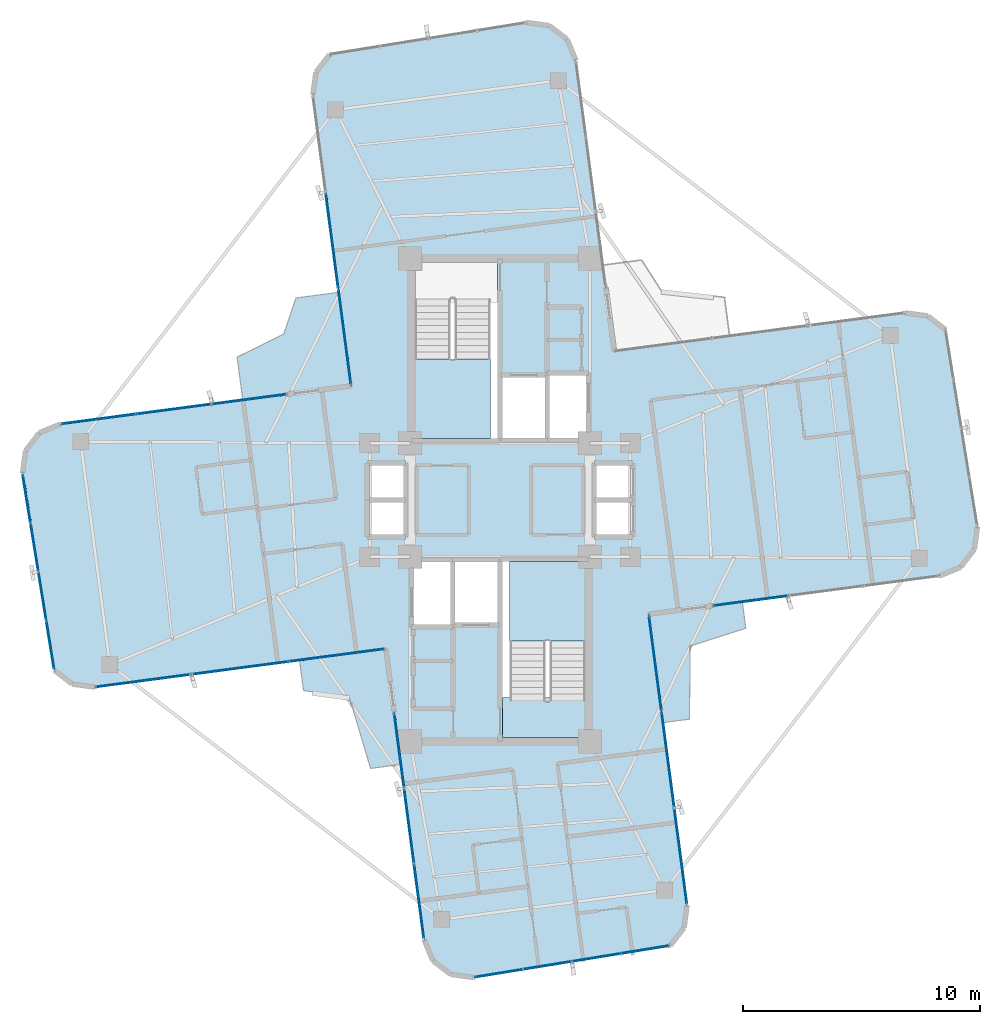
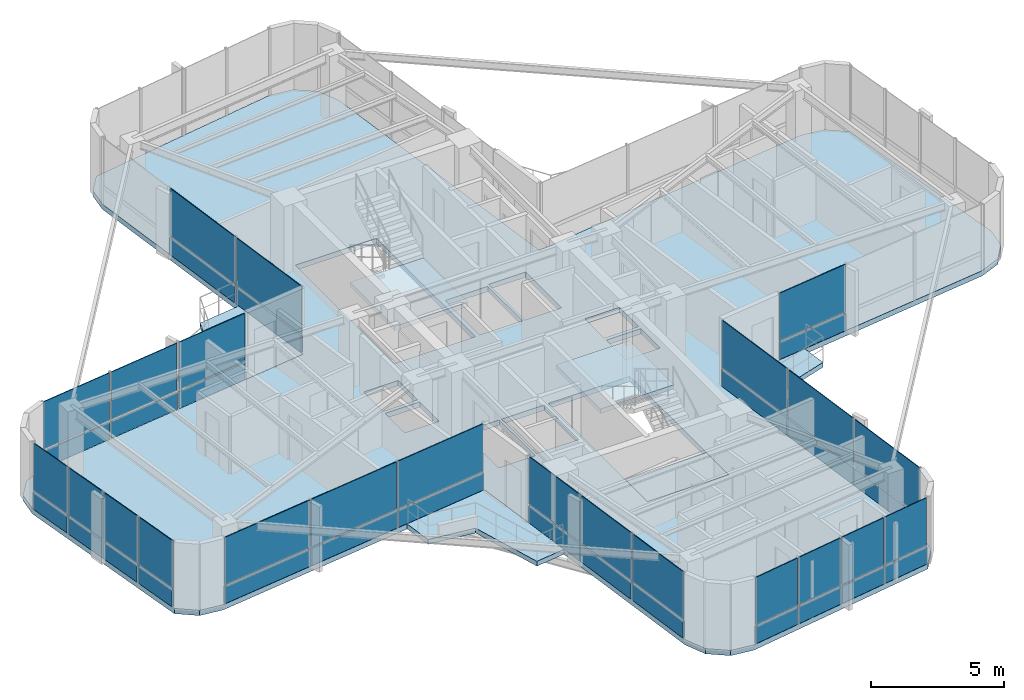
# One storey, part 17 of 22: 46 plates, 7 slabs, 10 elements without a shape of their own.
"""IFC4 building model written with IfcOpenShell, lengths in metres."""

import ifcopenshell
import ifcopenshell.guid

model = None  # the IFC model being written
_history = None  # IfcOwnerHistory: only IFC2X3 demands one
_inside = {}  # id of a spatial element -> (the spatial element, [elements in it])
_under = {}  # id of a project, library or spatial element -> (it, [spatial elements below it])
_declared = {}  # id of a project -> (the project, [libraries it declares])
_typed = {}  # id of a type object -> (the type object, [elements of that type])
_made_of = {}  # id of a material, layer set ... -> (it, [elements and type objects made of it])


def new_model(schema):
    """Start an empty IFC model of exactly this schema.

    Asked for "IFC4X3", IfcOpenShell would pick the latest addendum, in which some entities
    have other attributes; the version numbers below select the first issue.
    IFC2X3 requires an IfcOwnerHistory on every rooted entity: one is made here for all.
    """
    global model, _history
    if schema == "IFC4X3":
        model = ifcopenshell.file(schema_version=(4, 3, 0, 0))
    else:
        model = ifcopenshell.file(schema=schema)
    _inside.clear()
    _under.clear()
    _declared.clear()
    _typed.clear()
    _made_of.clear()
    _history = None
    if model.schema == "IFC2X3":
        org = make("IfcOrganization", Name="unknown")
        user = make(
            "IfcPersonAndOrganization",
            ThePerson=make("IfcPerson", FamilyName="unknown"),
            TheOrganization=org,
        )
        app = make(
            "IfcApplication",
            ApplicationDeveloper=org,
            Version="unknown",
            ApplicationFullName="unknown",
            ApplicationIdentifier="unknown",
        )
        _history = make(
            "IfcOwnerHistory",
            OwningUser=user,
            OwningApplication=app,
            ChangeAction="ADDED",
            CreationDate=0,
        )
    return model


def make(cls, **values):
    """One entity of the class cls with the attributes given. An attribute that is None is left unset."""
    return model.create_entity(
        cls, **{name: value for name, value in values.items() if value is not None}
    )


def rooted(cls, **values):
    """An entity with a GlobalId (a new one), such as an element, a storey or a relation."""
    return make(cls, GlobalId=ifcopenshell.guid.new(), OwnerHistory=_history, **values)


def si_unit(unit_type, name, prefix=None):
    """IfcSIUnit, for example si_unit("LENGTHUNIT", "METRE", prefix="MILLI")."""
    return make("IfcSIUnit", UnitType=unit_type, Prefix=prefix, Name=name)


def assignment(units):
    """IfcUnitAssignment: the units of a project."""
    return None if units is None else make("IfcUnitAssignment", Units=units)


def point(xyz):
    """IfcCartesianPoint."""
    return None if xyz is None else make("IfcCartesianPoint", Coordinates=xyz)


def direction(xyz):
    """IfcDirection."""
    return None if xyz is None else make("IfcDirection", DirectionRatios=xyz)


def frame(location, z_axis=None, x_axis=None):
    """IfcAxis2Placement3D, a coordinate frame: its origin and axes. An axis left out is left unset."""
    return make(
        "IfcAxis2Placement3D",
        Location=point(location),
        Axis=direction(z_axis),
        RefDirection=direction(x_axis),
    )


def frame_2d(location, x_axis=None):
    """IfcAxis2Placement2D, a coordinate frame in the plane: its origin and x axis."""
    return make(
        "IfcAxis2Placement2D", Location=point(location), RefDirection=direction(x_axis)
    )


def origin():
    """The frame at (0, 0, 0) with its axes left unset."""
    return frame((0.0, 0.0, 0.0))


def origin_2d():
    """The frame at (0, 0) in the plane with its x axis left unset."""
    return frame_2d((0.0, 0.0))


def place(relative_to, where):
    """IfcLocalPlacement: puts the frame where relative to a parent placement (None: the world)."""
    return make(
        "IfcLocalPlacement", PlacementRelTo=relative_to, RelativePlacement=where
    )


def context(
    kind, dimensions, precision=None, world=None, true_north=None, identifier=None
):
    """IfcGeometricRepresentationContext, for example the 3D "Model" context."""
    return make(
        "IfcGeometricRepresentationContext",
        ContextIdentifier=identifier,
        ContextType=kind,
        CoordinateSpaceDimension=dimensions,
        Precision=precision,
        WorldCoordinateSystem=world,
        TrueNorth=true_north,
    )


def subcontext(parent, identifier, kind, view, scale=None):
    """IfcGeometricRepresentationSubContext, for example "Body" below "Model"."""
    return make(
        "IfcGeometricRepresentationSubContext",
        ContextIdentifier=identifier,
        ContextType=kind,
        ParentContext=parent,
        TargetScale=scale,
        TargetView=view,
    )


def project(units=None, contexts=None):
    """IfcProject with its units and contexts."""
    return rooted(
        "IfcProject",
        Name="project",
        RepresentationContexts=contexts,
        UnitsInContext=assignment(units),
    )


def spatial(cls, under=None, at=None, **own):
    """A site, building, storey or space (cls), placed at a placement, below another one or the project."""
    s = rooted(cls, ObjectPlacement=at, **own)
    if under is not None:
        _under.setdefault(under.id(), (under, []))[1].append(s)
    return s


def polyline(points):
    """IfcPolyline through the points."""
    return make("IfcPolyline", Points=[point(p) for p in points])


def profile(cls, at=None, kind="AREA", **sizes):
    """A parametric profile (cls). Its sizes go by their IFC names, for example OverallWidth=200.0."""
    return make(cls, ProfileType=kind, Position=at, **sizes)


def rectangle(**sizes):
    """IfcRectangleProfileDef."""
    return profile("IfcRectangleProfileDef", **sizes)


def outline(outer, holes=None, kind="AREA"):
    """IfcArbitraryClosedProfileDef: a profile drawn as a closed curve; with holes, ...WithVoids."""
    if holes is None:
        return make("IfcArbitraryClosedProfileDef", ProfileType=kind, OuterCurve=outer)
    return make(
        "IfcArbitraryProfileDefWithVoids",
        ProfileType=kind,
        OuterCurve=outer,
        InnerCurves=holes,
    )


def extrude(swept, where, along, depth):
    """IfcExtrudedAreaSolid: the profile swept, set in the frame where, extruded along a direction by depth."""
    return make(
        "IfcExtrudedAreaSolid",
        SweptArea=swept,
        Position=where,
        ExtrudedDirection=direction(along),
        Depth=depth,
    )


def shape(context_of_items, identifier, shape_type, items):
    """IfcShapeRepresentation: the items that make up one representation, for example the "Body"."""
    return make(
        "IfcShapeRepresentation",
        ContextOfItems=context_of_items,
        RepresentationIdentifier=identifier,
        RepresentationType=shape_type,
        Items=items,
    )


def source(mapping_origin, context_of_items, identifier, shape_type, items):
    """IfcRepresentationMap: a shape defined once, which mapped items show again and again."""
    return make(
        "IfcRepresentationMap",
        MappingOrigin=mapping_origin,
        MappedRepresentation=shape(context_of_items, identifier, shape_type, items),
    )


def transform(
    local_origin,
    x_axis=None,
    y_axis=None,
    z_axis=None,
    scale=None,
    scale2=None,
    scale3=None,
    uniform=True,
):
    """IfcCartesianTransformationOperator3D, or its non-uniform kind. x_axis, y_axis, z_axis: its Axis1, 2, 3."""
    if uniform:
        return make(
            "IfcCartesianTransformationOperator3D",
            Axis1=direction(x_axis),
            Axis2=direction(y_axis),
            LocalOrigin=point(local_origin),
            Scale=scale,
            Axis3=direction(z_axis),
        )
    return make(
        "IfcCartesianTransformationOperator3DnonUniform",
        Axis1=direction(x_axis),
        Axis2=direction(y_axis),
        LocalOrigin=point(local_origin),
        Scale=scale,
        Axis3=direction(z_axis),
        Scale2=scale2,
        Scale3=scale3,
    )


def mapped(mapping_source, mapping_target):
    """IfcMappedItem: shows the shape of a source again, moved by a transform."""
    return make(
        "IfcMappedItem", MappingSource=mapping_source, MappingTarget=mapping_target
    )


def material(Name=None, Category=None):
    """IfcMaterial."""
    return make("IfcMaterial", Name=Name, Category=Category)


def layer(
    of_material, thickness, ventilated=None, Name=None, Category=None, Priority=None
):
    """IfcMaterialLayer: one layer of a wall or slab, of a material (None: an air gap)."""
    return make(
        "IfcMaterialLayer",
        Material=of_material,
        LayerThickness=thickness,
        IsVentilated=ventilated,
        Name=Name,
        Category=Category,
        Priority=Priority,
    )


def layer_set(layers, Name=None):
    """IfcMaterialLayerSet."""
    return make("IfcMaterialLayerSet", MaterialLayers=layers, LayerSetName=Name)


def made_of(thing, what):
    """Note that an element or type object is made of a material, layer set ...; save() writes the relation."""
    if what is not None:
        _made_of.setdefault(what.id(), (what, []))[1].append(thing)
    return thing


def type_object(cls, material=None, **own):
    """A type object (cls), such as IfcWallType, which elements share."""
    return made_of(rooted(cls, **own), material)


def element(
    cls,
    number,
    at=None,
    inside=None,
    cuts=None,
    type_object=None,
    material=None,
    context=None,
    identifier="Body",
    shape_type=None,
    held_by="IfcProductDefinitionShape",
    body=None,
    shapes=None,
    **own,
):
    """One element of the class cls, such as IfcWall. Its Tag is "e" and its number.

    at: its placement. inside: the storey or other place that contains it. cuts: it is an
    opening in that element (IfcRelVoidsElement). A single representation is given by context,
    identifier, shape_type and body (its items); several are given by shapes. held_by: the class
    of the entity that holds the representations. save() writes the other relations.
    """
    e = rooted(cls, Tag="e%d" % number, ObjectPlacement=at, **own)
    if body is not None:
        shapes = [shape(context, identifier, shape_type, body)]
    if shapes is not None:
        e.Representation = make(held_by, Representations=shapes)
    if inside is not None:
        _inside.setdefault(inside.id(), (inside, []))[1].append(e)
    if cuts is not None:
        rooted(
            "IfcRelVoidsElement", RelatingBuildingElement=cuts, RelatedOpeningElement=e
        )
    if type_object is not None:
        _typed.setdefault(type_object.id(), (type_object, []))[1].append(e)
    return made_of(e, material)


def aggregate(whole, parts):
    """IfcRelAggregates: a whole, such as a stair, and the parts it consists of."""
    return rooted("IfcRelAggregates", RelatingObject=whole, RelatedObjects=parts)


def save(model, path):
    """Write the relations noted so far, then the file.

    IfcRelAggregates (storeys below a building ...), IfcRelContainedInSpatialStructure (elements
    in a storey), IfcRelDefinesByType, IfcRelAssociatesMaterial and IfcRelDeclares: one each for
    every whole, place, type object, material and project.
    """
    for whole, parts in _under.values():
        aggregate(whole, parts)
    for where, things in _inside.values():
        rooted(
            "IfcRelContainedInSpatialStructure",
            RelatedElements=things,
            RelatingStructure=where,
        )
    for kind, things in _typed.values():
        rooted("IfcRelDefinesByType", RelatedObjects=things, RelatingType=kind)
    for what, things in _made_of.values():
        rooted("IfcRelAssociatesMaterial", RelatedObjects=things, RelatingMaterial=what)
    for by, libraries in _declared.values():
        rooted("IfcRelDeclares", RelatingContext=by, RelatedDefinitions=libraries)
    model.write(path)


model = new_model("IFC4")

# Units and contexts
model_context = context("Model", 3, precision=1e-05, world=origin(), true_north=direction((0.0, 1.0)))
body_context = subcontext(model_context, "Body", "Model", "MODEL_VIEW")
ifc_project = project(units=[si_unit("LENGTHUNIT", "METRE"), si_unit("AREAUNIT", "SQUARE_METRE"), si_unit("VOLUMEUNIT", "CUBIC_METRE"), si_unit("PLANEANGLEUNIT", "RADIAN"), si_unit("MASSUNIT", "GRAM", prefix="KILO")], contexts=[model_context])

# Site, building, storey
site_placement = place(None, origin())
site = spatial("IfcSite", under=ifc_project, at=site_placement, CompositionType="ELEMENT")
building_placement = place(site_placement, origin())
building = spatial("IfcBuilding", under=site, at=building_placement, Name="Sahyath Konkavel Grand Hotel", CompositionType="ELEMENT")
storey_placement = place(building_placement, frame((0.0, 0.0, 269.10009765625)))
storey = spatial("IfcBuildingStorey", under=building, at=storey_placement, Name="L75", CompositionType="ELEMENT", Elevation=269.10009765625)

# Slabs
ifc_material_1 = material(Name="Concrete C40/50", Category="concrete")
ifc_layer_1 = layer(ifc_material_1, 0.239990234375)
ifc_layer_set_1 = layer_set([ifc_layer_1], Name="Concrete C40/50")
slab_type_1 = type_object("IfcSlabType", Name="SLB-240", PredefinedType="FLOOR", material=ifc_layer_set_1)
slab_1_placement = place(storey_placement, frame((0.0, 0.0, -0.239990234375)))
element("IfcSlab", 1, at=slab_1_placement, inside=storey, type_object=slab_type_1, Name="L75 Structural Floor Slab", PredefinedType="FLOOR", context=body_context, shape_type="SweptSolid", body=[
    extrude(outline(polyline([(6.282958984375, -4.821044921875), (18.56689453125, -3.203857421875), (19.451904296875, -2.83740234375), (20.03466796875, -2.07763671875), (20.15966796875, -1.12841796875), (18.814208984375, 7.1923828125), (18.0546875, 7.775390625), (17.10498046875, 7.900390625), (4.821044921875, 6.282958984375), (3.203857421875, 18.56689453125), (2.83740234375, 19.451904296875), (2.07763671875, 20.03466796875), (1.12841796875, 20.15966796875), (-7.1923828125, 18.814208984375), (-7.775390625, 18.0546875), (-7.900390625, 17.10498046875), (-6.282958984375, 4.821044921875), (-18.56689453125, 3.203857421875), (-19.451904296875, 2.83740234375), (-20.03466796875, 2.07763671875), (-20.15966796875, 1.12841796875), (-18.814208984375, -7.1923828125), (-18.0546875, -7.775390625), (-17.10498046875, -7.900390625), (-4.821044921875, -6.282958984375), (-3.203857421875, -18.56689453125), (-2.83740234375, -19.451904296875), (-2.07763671875, -20.03466796875), (-1.12841796875, -20.15966796875), (7.1923828125, -18.814208984375), (7.775390625, -18.0546875), (7.900390625, -17.10498046875), (6.282958984375, -4.821044921875)]), holes=[polyline([(-3.6201171875, 2.580078125), (-0.10009765625, 2.580078125), (-0.10009765625, 10.02001953125), (-3.6201171875, 10.02001953125), (-3.6201171875, 2.580078125)]), polyline([(0.10009765625, -10.02001953125), (3.6201171875, -10.02001953125), (3.6201171875, -2.580078125), (0.10009765625, -2.580078125), (0.10009765625, -10.02001953125)]), polyline([(0.10009765625, 2.60009765625), (1.949951171875, 2.60009765625), (1.949951171875, 5.199951171875), (0.10009765625, 5.199951171875), (0.10009765625, 2.60009765625)]), polyline([(-1.949951171875, -5.199951171875), (-0.10009765625, -5.199951171875), (-0.10009765625, -2.60009765625), (-1.949951171875, -2.60009765625), (-1.949951171875, -5.199951171875)]), polyline([(2.050048828125, 2.60009765625), (3.64990234375, 2.60009765625), (3.64990234375, 5.300048828125), (2.050048828125, 5.300048828125), (2.050048828125, 2.60009765625)]), polyline([(-3.64990234375, -5.300048828125), (-2.050048828125, -5.300048828125), (-2.050048828125, -2.60009765625), (-3.64990234375, -2.60009765625), (-3.64990234375, -5.300048828125)]), polyline([(4.050048828125, 0.080078125), (5.550048828125, 0.080078125), (5.550048828125, 1.5400390625), (4.050048828125, 1.5400390625), (4.050048828125, 0.080078125)]), polyline([(4.050048828125, -1.5400390625), (5.550048828125, -1.5400390625), (5.550048828125, -0.080078125), (4.050048828125, -0.080078125), (4.050048828125, -1.5400390625)]), polyline([(-5.550048828125, 0.080078125), (-4.050048828125, 0.080078125), (-4.050048828125, 1.5400390625), (-5.550048828125, 1.5400390625), (-5.550048828125, 0.080078125)]), polyline([(-5.550048828125, -1.5400390625), (-4.050048828125, -1.5400390625), (-4.050048828125, -0.080078125), (-5.550048828125, -0.080078125), (-5.550048828125, -1.5400390625)])]), origin(), (0.0, 0.0, 1.0), 0.239990234375),
])
ifc_layer_2 = layer(ifc_material_1, 0.219970703125)
ifc_layer_set_2 = layer_set([ifc_layer_2], Name="Concrete C40/50")
slab_type_2 = type_object("IfcSlabType", Name="SLB-BALCONY-220", PredefinedType="FLOOR", material=ifc_layer_set_2)
slab_2_placement = place(storey_placement, frame((0.0, 0.0, -0.22021484375)))
element("IfcSlab", 2, at=slab_2_placement, inside=storey, type_object=slab_type_2, Name="L75 Winter-Garden Balcony NW", PredefinedType="FLOOR", context=body_context, shape_type="SweptSolid", body=[
    extrude(outline(polyline([(-6.282958984375, 4.821044921875), (-6.802734375, 8.76904296875), (-8.615966796875, 8.530517578125), (-9.1328125, 7.0078125), (-11.10009765625, 6.031494140625), (-10.861572265625, 4.218505859375), (-6.282958984375, 4.821044921875)])), origin(), (0.0, 0.0, 1.0), 0.22021484375),
])
slab_3_placement = place(storey_placement, frame((0.0, 0.0, -0.22021484375)))
element("IfcSlab", 3, at=slab_3_placement, inside=storey, type_object=slab_type_2, Name="L75 Winter-Garden Balcony SW", PredefinedType="FLOOR", context=body_context, shape_type="SweptSolid", body=[
    extrude(outline(polyline([(-4.821044921875, -6.282958984375), (-8.4658203125, -6.762939453125), (-8.29638671875, -8.0478515625), (-6.370849609375, -8.302490234375), (-5.46337890625, -11.333984375), (-4.178466796875, -11.164794921875), (-4.821044921875, -6.282958984375)])), origin(), (0.0, 0.0, 1.0), 0.22021484375),
])
slab_4_placement = place(storey_placement, frame((0.0, 0.0, -0.22021484375)))
element("IfcSlab", 4, at=slab_4_placement, inside=storey, type_object=slab_type_2, Name="L75 Winter-Garden Balcony SE", PredefinedType="FLOOR", context=body_context, shape_type="SweptSolid", body=[
    extrude(outline(polyline([(6.282958984375, -4.821044921875), (6.8857421875, -9.399658203125), (7.99951171875, -9.2529296875), (8.033203125, -6.164306640625), (10.377685546875, -5.4150390625), (10.23095703125, -4.301513671875), (6.282958984375, -4.821044921875)])), origin(), (0.0, 0.0, 1.0), 0.22021484375),
])

# Stair, slab
stair_type = type_object("IfcStairType", Name="STR-ST16-335", PredefinedType="HALF_TURN_STAIR", material=ifc_material_1)
stair_1_placement = place(storey_placement, origin())
stair_1 = element("IfcStair", 5, at=stair_1_placement, inside=storey, type_object=stair_type, Name="L75 North Core Smokeproof Exit Stair ST-1", PredefinedType="HALF_TURN_STAIR")
ifc_layer_3 = layer(ifc_material_1, 0.199951171875)
ifc_layer_set_3 = layer_set([ifc_layer_3], Name="Concrete C40/50")
slab_type_3 = type_object("IfcSlabType", Name="SLB-STAIR-LND", PredefinedType="LANDING", material=ifc_layer_set_3)
slab_5_placement = place(storey_placement, frame((0.0, 0.0, 1.474853515625)))
slab_5 = element("IfcSlab", 6, at=slab_5_placement, type_object=slab_type_3, Name="ST-1 landing 1", PredefinedType="LANDING", context=body_context, shape_type="SweptSolid", body=[
    extrude(outline(polyline([(-3.60009765625, 5.9599609375), (-3.60009765625, 2.60009765625), (-0.39990234375, 2.60009765625), (-0.39990234375, 5.9599609375), (-3.60009765625, 5.9599609375)])), origin(), (0.0, 0.0, 1.0), 0.199951171875),
])
aggregate(stair_1, [slab_5])

stair_2_placement = place(storey_placement, origin())
stair_2 = element("IfcStair", 7, at=stair_2_placement, inside=storey, type_object=stair_type, Name="L75 South Core Smokeproof Exit Stair ST-2", PredefinedType="HALF_TURN_STAIR")
slab_6_placement = place(storey_placement, frame((0.0, 0.0, 1.474853515625)))
slab_6 = element("IfcSlab", 8, at=slab_6_placement, type_object=slab_type_3, Name="ST-2 landing 1", PredefinedType="LANDING", context=body_context, shape_type="SweptSolid", body=[
    extrude(outline(polyline([(3.60009765625, -5.9599609375), (3.60009765625, -2.60009765625), (0.39990234375, -2.60009765625), (0.39990234375, -5.9599609375), (3.60009765625, -5.9599609375)])), origin(), (0.0, 0.0, 1.0), 0.199951171875),
])
aggregate(stair_2, [slab_6])

# Slab
slab_7_placement = place(storey_placement, frame((0.0, 0.0, -0.2001953125)))
element("IfcSlab", 9, at=slab_7_placement, inside=storey, type_object=slab_type_3, Name="L75 Stair ST-2 Floor Landing Slab", PredefinedType="LANDING", context=body_context, shape_type="SweptSolid", body=[
    extrude(outline(polyline([(0.10009765625, -10.02001953125), (3.6201171875, -10.02001953125), (3.6201171875, -8.35009765625), (0.10009765625, -8.35009765625), (0.10009765625, -10.02001953125)])), origin(), (0.0, 0.0, 1.0), 0.2001953125),
])

# Curtain wall, plate
ifc_material_2 = material(Name="Anodised Bronze Aluminium & Low-E Glazing", Category="aluminium")
curtain_wall_type = type_object("IfcCurtainWallType", Name="CW-ZONE4", PredefinedType="NOTDEFINED", material=ifc_material_2)
curtain_wall_1_placement = place(storey_placement, origin())
curtain_wall_1 = element("IfcCurtainWall", 10, at=curtain_wall_1_placement, inside=storey, type_object=curtain_wall_type, Name="L75 Unitised Curtain Wall F0", PredefinedType="NOTDEFINED")
ifc_material_3 = material(Name="Warm Buff Sandstone Cladding", Category="masonry")
ifc_layer_4 = layer(ifc_material_3, 0.074951171875)
ifc_layer_set_4 = layer_set([ifc_layer_4], Name="Warm Buff Sandstone Cladding")
plate_type_1 = type_object("IfcPlateType", Name="PNL-SPANDREL-STONE", PredefinedType="SHEET", material=ifc_layer_set_4)
shared_shape_1 = source(origin(), body_context, "Body", "SweptSolid", [
    extrude(rectangle(XDim=3.123291015625, YDim=0.074951171875, at=origin_2d()), origin(), (0.0, 0.0, 1.0), 0.77001953125),
])
plate_1_placement = place(storey_placement, frame((10.587646484375, -4.25439453125, 0.039794921875), z_axis=(0.0, 0.0, 1.0), x_axis=(0.991444861374, 0.13052619222, 0.0)))
plate_1 = element("IfcPlate", 11, at=plate_1_placement, type_object=plate_type_1, Name="L75 Sandstone Relief Spandrel Panel F0-0", PredefinedType="SHEET", context=body_context, shape_type="MappedRepresentation", body=[
    mapped(shared_shape_1, transform((0.0, 0.0, 0.0), scale=1.0)),
])

# Curtain wall, plates
curtain_wall_2_placement = place(storey_placement, origin())
curtain_wall_2 = element("IfcCurtainWall", 12, at=curtain_wall_2_placement, inside=storey, type_object=curtain_wall_type, Name="L75 Unitised Curtain Wall F16", PredefinedType="NOTDEFINED")
plate_2_placement = place(storey_placement, frame((-10.587646484375, 4.25439453125, 0.039794921875), z_axis=(0.0, 0.0, 1.0), x_axis=(-0.991444861374, -0.13052619222, 0.0)))
plate_2 = element("IfcPlate", 13, at=plate_2_placement, type_object=plate_type_1, Name="L75 Sandstone Relief Spandrel Panel F16-0", PredefinedType="SHEET", context=body_context, shape_type="MappedRepresentation", body=[
    mapped(shared_shape_1, transform((0.0, 0.0, 0.0), scale=1.0)),
])
plate_3_placement = place(storey_placement, frame((-13.763427734375, 3.836181640625, 0.039794921875), z_axis=(0.0, 0.0, 1.0), x_axis=(-0.991444861374, -0.13052619222, 0.0)))
plate_3 = element("IfcPlate", 14, at=plate_3_placement, type_object=plate_type_1, Name="L75 Sandstone Relief Spandrel Panel F16-1", PredefinedType="SHEET", context=body_context, shape_type="MappedRepresentation", body=[
    mapped(shared_shape_1, transform((0.0, 0.0, 0.0), scale=1.0)),
])
plate_4_placement = place(storey_placement, frame((-16.939453125, 3.418212890625, 0.039794921875), z_axis=(0.0, 0.0, 1.0), x_axis=(-0.991444861374, -0.13052619222, 0.0)))
plate_4 = element("IfcPlate", 15, at=plate_4_placement, type_object=plate_type_1, Name="L75 Sandstone Relief Spandrel Panel F16-2", PredefinedType="SHEET", context=body_context, shape_type="MappedRepresentation", body=[
    mapped(shared_shape_1, transform((0.0, 0.0, 0.0), scale=1.0)),
])

curtain_wall_3_placement = place(storey_placement, origin())
curtain_wall_3 = element("IfcCurtainWall", 16, at=curtain_wall_3_placement, inside=storey, type_object=curtain_wall_type, Name="L75 Unitised Curtain Wall F24", PredefinedType="NOTDEFINED")
plate_5_placement = place(storey_placement, frame((-4.25439453125, -10.587646484375, 0.039794921875), z_axis=(0.0, 0.0, 1.0), x_axis=(0.13052619222, -0.991444861374, 0.0)))
plate_5 = element("IfcPlate", 17, at=plate_5_placement, type_object=plate_type_1, Name="L75 Sandstone Relief Spandrel Panel F24-0", PredefinedType="SHEET", context=body_context, shape_type="MappedRepresentation", body=[
    mapped(shared_shape_1, transform((0.0, 0.0, 0.0), scale=1.0)),
])
plate_6_placement = place(storey_placement, frame((-3.836181640625, -13.763427734375, 0.039794921875), z_axis=(0.0, 0.0, 1.0), x_axis=(0.13052619222, -0.991444861374, 0.0)))
plate_6 = element("IfcPlate", 18, at=plate_6_placement, type_object=plate_type_1, Name="L75 Sandstone Relief Spandrel Panel F24-1", PredefinedType="SHEET", context=body_context, shape_type="MappedRepresentation", body=[
    mapped(shared_shape_1, transform((0.0, 0.0, 0.0), scale=1.0)),
])
plate_7_placement = place(storey_placement, frame((-3.418212890625, -16.939453125, 0.039794921875), z_axis=(0.0, 0.0, 1.0), x_axis=(0.13052619222, -0.991444861374, 0.0)))
plate_7 = element("IfcPlate", 19, at=plate_7_placement, type_object=plate_type_1, Name="L75 Sandstone Relief Spandrel Panel F24-2", PredefinedType="SHEET", context=body_context, shape_type="MappedRepresentation", body=[
    mapped(shared_shape_1, transform((0.0, 0.0, 0.0), scale=1.0)),
])

# Plate
ifc_material_4 = material(Name="Low-E Solar Control Double Glazing", Category="glass")
ifc_layer_5 = layer(ifc_material_4, 0.035888671875)
ifc_layer_set_5 = layer_set([ifc_layer_5], Name="Low-E Solar Control Double Glazing")
plate_type_2 = type_object("IfcPlateType", Name="PNL-VISION-LOWE", PredefinedType="CURTAIN_PANEL", material=ifc_layer_set_5)
shared_shape_2 = source(origin(), body_context, "Body", "SweptSolid", [
    extrude(rectangle(XDim=3.123291015625, YDim=0.035888671875, at=origin_2d()), origin(), (0.0, 0.0, 1.0), 2.179931640625),
])
plate_8_placement = place(storey_placement, frame((10.587646484375, -4.25439453125, 0.89013671875), z_axis=(0.0, 0.0, 1.0), x_axis=(0.991444861374, 0.13052619222, 0.0)))
plate_8 = element("IfcPlate", 20, at=plate_8_placement, type_object=plate_type_2, Name="L75 Low-E Vision Glazing Panel F0-0", PredefinedType="CURTAIN_PANEL", context=body_context, shape_type="MappedRepresentation", body=[
    mapped(shared_shape_2, transform((0.0, 0.0, 0.0), scale=1.0)),
])

aggregate(curtain_wall_1, [plate_1, plate_8])

plate_9_placement = place(storey_placement, frame((-10.587646484375, 4.25439453125, 0.89013671875), z_axis=(0.0, 0.0, 1.0), x_axis=(-0.991444861374, -0.13052619222, 0.0)))
plate_9 = element("IfcPlate", 21, at=plate_9_placement, type_object=plate_type_2, Name="L75 Low-E Vision Glazing Panel F16-0", PredefinedType="CURTAIN_PANEL", context=body_context, shape_type="MappedRepresentation", body=[
    mapped(shared_shape_2, transform((0.0, 0.0, 0.0), scale=1.0)),
])

plate_10_placement = place(storey_placement, frame((-13.763427734375, 3.836181640625, 0.89013671875), z_axis=(0.0, 0.0, 1.0), x_axis=(-0.991444861374, -0.13052619222, 0.0)))
plate_10 = element("IfcPlate", 22, at=plate_10_placement, type_object=plate_type_2, Name="L75 Low-E Vision Glazing Panel F16-1", PredefinedType="CURTAIN_PANEL", context=body_context, shape_type="MappedRepresentation", body=[
    mapped(shared_shape_2, transform((0.0, 0.0, 0.0), scale=1.0)),
])

plate_11_placement = place(storey_placement, frame((-16.939453125, 3.418212890625, 0.89013671875), z_axis=(0.0, 0.0, 1.0), x_axis=(-0.991444861374, -0.13052619222, 0.0)))
plate_11 = element("IfcPlate", 23, at=plate_11_placement, type_object=plate_type_2, Name="L75 Low-E Vision Glazing Panel F16-2", PredefinedType="CURTAIN_PANEL", context=body_context, shape_type="MappedRepresentation", body=[
    mapped(shared_shape_2, transform((0.0, 0.0, 0.0), scale=1.0)),
])

aggregate(curtain_wall_2, [plate_2, plate_9, plate_3, plate_10, plate_4, plate_11])

plate_12_placement = place(storey_placement, frame((-4.25439453125, -10.587646484375, 0.89013671875), z_axis=(0.0, 0.0, 1.0), x_axis=(0.13052619222, -0.991444861374, 0.0)))
plate_12 = element("IfcPlate", 24, at=plate_12_placement, type_object=plate_type_2, Name="L75 Low-E Vision Glazing Panel F24-0", PredefinedType="CURTAIN_PANEL", context=body_context, shape_type="MappedRepresentation", body=[
    mapped(shared_shape_2, transform((0.0, 0.0, 0.0), scale=1.0)),
])

plate_13_placement = place(storey_placement, frame((-3.836181640625, -13.763427734375, 0.89013671875), z_axis=(0.0, 0.0, 1.0), x_axis=(0.13052619222, -0.991444861374, 0.0)))
plate_13 = element("IfcPlate", 25, at=plate_13_placement, type_object=plate_type_2, Name="L75 Low-E Vision Glazing Panel F24-1", PredefinedType="CURTAIN_PANEL", context=body_context, shape_type="MappedRepresentation", body=[
    mapped(shared_shape_2, transform((0.0, 0.0, 0.0), scale=1.0)),
])

plate_14_placement = place(storey_placement, frame((-3.418212890625, -16.939453125, 0.89013671875), z_axis=(0.0, 0.0, 1.0), x_axis=(0.13052619222, -0.991444861374, 0.0)))
plate_14 = element("IfcPlate", 26, at=plate_14_placement, type_object=plate_type_2, Name="L75 Low-E Vision Glazing Panel F24-2", PredefinedType="CURTAIN_PANEL", context=body_context, shape_type="MappedRepresentation", body=[
    mapped(shared_shape_2, transform((0.0, 0.0, 0.0), scale=1.0)),
])

aggregate(curtain_wall_3, [plate_5, plate_12, plate_6, plate_13, plate_7, plate_14])

# Curtain wall, plates
curtain_wall_4_placement = place(storey_placement, origin())
curtain_wall_4 = element("IfcCurtainWall", 27, at=curtain_wall_4_placement, inside=storey, type_object=curtain_wall_type, Name="L75 Unitised Curtain Wall F20", PredefinedType="NOTDEFINED")
shared_shape_3 = source(origin(), body_context, "Body", "SweptSolid", [
    extrude(rectangle(XDim=2.007080078125, YDim=0.074951171875, at=origin_2d()), origin(), (0.0, 0.0, 1.0), 0.77001953125),
])
plate_15_placement = place(storey_placement, frame((-19.98681640625, 0.05859375, 0.039794921875), z_axis=(0.0, 0.0, 1.0), x_axis=(0.159622750546, -0.987178088041, 0.0)))
plate_15 = element("IfcPlate", 28, at=plate_15_placement, type_object=plate_type_1, Name="L75 Sandstone Relief Spandrel Panel F20-0", PredefinedType="SHEET", context=body_context, shape_type="MappedRepresentation", body=[
    mapped(shared_shape_3, transform((0.0, 0.0, 0.0), scale=1.0)),
])
plate_16_placement = place(storey_placement, frame((-19.653564453125, -2.001708984375, 0.039794921875), z_axis=(0.0, 0.0, 1.0), x_axis=(0.159622750546, -0.987178088041, 0.0)))
plate_16 = element("IfcPlate", 29, at=plate_16_placement, type_object=plate_type_1, Name="L75 Sandstone Relief Spandrel Panel F20-1", PredefinedType="SHEET", context=body_context, shape_type="MappedRepresentation", body=[
    mapped(shared_shape_3, transform((0.0, 0.0, 0.0), scale=1.0)),
])
plate_17_placement = place(storey_placement, frame((-19.3203125, -4.062255859375, 0.039794921875), z_axis=(0.0, 0.0, 1.0), x_axis=(0.159622750546, -0.987178088041, 0.0)))
plate_17 = element("IfcPlate", 30, at=plate_17_placement, type_object=plate_type_1, Name="L75 Sandstone Relief Spandrel Panel F20-2", PredefinedType="SHEET", context=body_context, shape_type="MappedRepresentation", body=[
    mapped(shared_shape_3, transform((0.0, 0.0, 0.0), scale=1.0)),
])
plate_18_placement = place(storey_placement, frame((-18.9873046875, -6.12255859375, 0.039794921875), z_axis=(0.0, 0.0, 1.0), x_axis=(0.159622750546, -0.987178088041, 0.0)))
plate_18 = element("IfcPlate", 31, at=plate_18_placement, type_object=plate_type_1, Name="L75 Sandstone Relief Spandrel Panel F20-3", PredefinedType="SHEET", context=body_context, shape_type="MappedRepresentation", body=[
    mapped(shared_shape_3, transform((0.0, 0.0, 0.0), scale=1.0)),
])

curtain_wall_5_placement = place(storey_placement, origin())
curtain_wall_5 = element("IfcCurtainWall", 32, at=curtain_wall_5_placement, inside=storey, type_object=curtain_wall_type, Name="L75 Unitised Curtain Wall F28", PredefinedType="NOTDEFINED")
plate_19_placement = place(storey_placement, frame((-0.05859375, -19.98681640625, 0.039794921875), z_axis=(0.0, 0.0, 1.0), x_axis=(0.987178088041, 0.159622750546, 0.0)))
plate_19 = element("IfcPlate", 33, at=plate_19_placement, type_object=plate_type_1, Name="L75 Sandstone Relief Spandrel Panel F28-0", PredefinedType="SHEET", context=body_context, shape_type="MappedRepresentation", body=[
    mapped(shared_shape_3, transform((0.0, 0.0, 0.0), scale=1.0)),
])
plate_20_placement = place(storey_placement, frame((2.001708984375, -19.653564453125, 0.039794921875), z_axis=(0.0, 0.0, 1.0), x_axis=(0.987178088041, 0.159622750546, 0.0)))
plate_20 = element("IfcPlate", 34, at=plate_20_placement, type_object=plate_type_1, Name="L75 Sandstone Relief Spandrel Panel F28-1", PredefinedType="SHEET", context=body_context, shape_type="MappedRepresentation", body=[
    mapped(shared_shape_3, transform((0.0, 0.0, 0.0), scale=1.0)),
])
plate_21_placement = place(storey_placement, frame((4.062255859375, -19.3203125, 0.039794921875), z_axis=(0.0, 0.0, 1.0), x_axis=(0.987178088041, 0.159622750546, 0.0)))
plate_21 = element("IfcPlate", 35, at=plate_21_placement, type_object=plate_type_1, Name="L75 Sandstone Relief Spandrel Panel F28-2", PredefinedType="SHEET", context=body_context, shape_type="MappedRepresentation", body=[
    mapped(shared_shape_3, transform((0.0, 0.0, 0.0), scale=1.0)),
])
plate_22_placement = place(storey_placement, frame((6.12255859375, -18.9873046875, 0.039794921875), z_axis=(0.0, 0.0, 1.0), x_axis=(0.987178088041, 0.159622750546, 0.0)))
plate_22 = element("IfcPlate", 36, at=plate_22_placement, type_object=plate_type_1, Name="L75 Sandstone Relief Spandrel Panel F28-3", PredefinedType="SHEET", context=body_context, shape_type="MappedRepresentation", body=[
    mapped(shared_shape_3, transform((0.0, 0.0, 0.0), scale=1.0)),
])

# Plate
shared_shape_4 = source(origin(), body_context, "Body", "SweptSolid", [
    extrude(rectangle(XDim=2.007080078125, YDim=0.035888671875, at=origin_2d()), origin(), (0.0, 0.0, 1.0), 2.179931640625),
])
plate_23_placement = place(storey_placement, frame((-19.98681640625, 0.05859375, 0.89013671875), z_axis=(0.0, 0.0, 1.0), x_axis=(0.159622750546, -0.987178088041, 0.0)))
plate_23 = element("IfcPlate", 37, at=plate_23_placement, type_object=plate_type_2, Name="L75 Low-E Vision Glazing Panel F20-0", PredefinedType="CURTAIN_PANEL", context=body_context, shape_type="MappedRepresentation", body=[
    mapped(shared_shape_4, transform((0.0, 0.0, 0.0), scale=1.0)),
])

plate_24_placement = place(storey_placement, frame((-19.653564453125, -2.001708984375, 0.89013671875), z_axis=(0.0, 0.0, 1.0), x_axis=(0.159622750546, -0.987178088041, 0.0)))
plate_24 = element("IfcPlate", 38, at=plate_24_placement, type_object=plate_type_2, Name="L75 Low-E Vision Glazing Panel F20-1", PredefinedType="CURTAIN_PANEL", context=body_context, shape_type="MappedRepresentation", body=[
    mapped(shared_shape_4, transform((0.0, 0.0, 0.0), scale=1.0)),
])

plate_25_placement = place(storey_placement, frame((-19.3203125, -4.062255859375, 0.89013671875), z_axis=(0.0, 0.0, 1.0), x_axis=(0.159622750546, -0.987178088041, 0.0)))
plate_25 = element("IfcPlate", 39, at=plate_25_placement, type_object=plate_type_2, Name="L75 Low-E Vision Glazing Panel F20-2", PredefinedType="CURTAIN_PANEL", context=body_context, shape_type="MappedRepresentation", body=[
    mapped(shared_shape_4, transform((0.0, 0.0, 0.0), scale=1.0)),
])

plate_26_placement = place(storey_placement, frame((-18.9873046875, -6.12255859375, 0.89013671875), z_axis=(0.0, 0.0, 1.0), x_axis=(0.159622750546, -0.987178088041, 0.0)))
plate_26 = element("IfcPlate", 40, at=plate_26_placement, type_object=plate_type_2, Name="L75 Low-E Vision Glazing Panel F20-3", PredefinedType="CURTAIN_PANEL", context=body_context, shape_type="MappedRepresentation", body=[
    mapped(shared_shape_4, transform((0.0, 0.0, 0.0), scale=1.0)),
])

aggregate(curtain_wall_4, [plate_15, plate_23, plate_16, plate_24, plate_17, plate_25, plate_18, plate_26])

plate_27_placement = place(storey_placement, frame((-0.05859375, -19.98681640625, 0.89013671875), z_axis=(0.0, 0.0, 1.0), x_axis=(0.987178088041, 0.159622750546, 0.0)))
plate_27 = element("IfcPlate", 41, at=plate_27_placement, type_object=plate_type_2, Name="L75 Low-E Vision Glazing Panel F28-0", PredefinedType="CURTAIN_PANEL", context=body_context, shape_type="MappedRepresentation", body=[
    mapped(shared_shape_4, transform((0.0, 0.0, 0.0), scale=1.0)),
])

plate_28_placement = place(storey_placement, frame((2.001708984375, -19.653564453125, 0.89013671875), z_axis=(0.0, 0.0, 1.0), x_axis=(0.987178088041, 0.159622750546, 0.0)))
plate_28 = element("IfcPlate", 42, at=plate_28_placement, type_object=plate_type_2, Name="L75 Low-E Vision Glazing Panel F28-1", PredefinedType="CURTAIN_PANEL", context=body_context, shape_type="MappedRepresentation", body=[
    mapped(shared_shape_4, transform((0.0, 0.0, 0.0), scale=1.0)),
])

plate_29_placement = place(storey_placement, frame((4.062255859375, -19.3203125, 0.89013671875), z_axis=(0.0, 0.0, 1.0), x_axis=(0.987178088041, 0.159622750546, 0.0)))
plate_29 = element("IfcPlate", 43, at=plate_29_placement, type_object=plate_type_2, Name="L75 Low-E Vision Glazing Panel F28-2", PredefinedType="CURTAIN_PANEL", context=body_context, shape_type="MappedRepresentation", body=[
    mapped(shared_shape_4, transform((0.0, 0.0, 0.0), scale=1.0)),
])

plate_30_placement = place(storey_placement, frame((6.12255859375, -18.9873046875, 0.89013671875), z_axis=(0.0, 0.0, 1.0), x_axis=(0.987178088041, 0.159622750546, 0.0)))
plate_30 = element("IfcPlate", 44, at=plate_30_placement, type_object=plate_type_2, Name="L75 Low-E Vision Glazing Panel F28-3", PredefinedType="CURTAIN_PANEL", context=body_context, shape_type="MappedRepresentation", body=[
    mapped(shared_shape_4, transform((0.0, 0.0, 0.0), scale=1.0)),
])

aggregate(curtain_wall_5, [plate_19, plate_27, plate_20, plate_28, plate_21, plate_29, plate_22, plate_30])

# Curtain wall, plates
curtain_wall_6_placement = place(storey_placement, origin())
curtain_wall_6 = element("IfcCurtainWall", 45, at=curtain_wall_6_placement, inside=storey, type_object=curtain_wall_type, Name="L75 Unitised Curtain Wall F15", PredefinedType="NOTDEFINED")
shared_shape_5 = source(origin(), body_context, "Body", "SweptSolid", [
    extrude(rectangle(XDim=4.023193359375, YDim=0.074951171875, at=origin_2d()), origin(), (0.0, 0.0, 1.0), 0.77001953125),
])
plate_31_placement = place(storey_placement, frame((-7.091552734375, 10.963134765625, 0.039794921875), z_axis=(0.0, 0.0, 1.0), x_axis=(0.13052619222, -0.991444861374, 0.0)))
plate_31 = element("IfcPlate", 46, at=plate_31_placement, type_object=plate_type_1, Name="L75 Sandstone Relief Spandrel Panel F15-1", PredefinedType="SHEET", context=body_context, shape_type="MappedRepresentation", body=[
    mapped(shared_shape_5, transform((0.0, 0.0, 0.0), scale=1.0)),
])
plate_32_placement = place(storey_placement, frame((-6.555908203125, 6.89501953125, 0.039794921875), z_axis=(0.0, 0.0, 1.0), x_axis=(0.13052619222, -0.991444861374, 0.0)))
plate_32 = element("IfcPlate", 47, at=plate_32_placement, type_object=plate_type_1, Name="L75 Sandstone Relief Spandrel Panel F15-2", PredefinedType="SHEET", context=body_context, shape_type="MappedRepresentation", body=[
    mapped(shared_shape_5, transform((0.0, 0.0, 0.0), scale=1.0)),
])

curtain_wall_7_placement = place(storey_placement, origin())
curtain_wall_7 = element("IfcCurtainWall", 48, at=curtain_wall_7_placement, inside=storey, type_object=curtain_wall_type, Name="L75 Unitised Curtain Wall F23", PredefinedType="NOTDEFINED")
plate_33_placement = place(storey_placement, frame((-15.03125, -7.627197265625, 0.039794921875), z_axis=(0.0, 0.0, 1.0), x_axis=(0.991444861374, 0.13052619222, 0.0)))
plate_33 = element("IfcPlate", 49, at=plate_33_placement, type_object=plate_type_1, Name="L75 Sandstone Relief Spandrel Panel F23-0", PredefinedType="SHEET", context=body_context, shape_type="MappedRepresentation", body=[
    mapped(shared_shape_5, transform((0.0, 0.0, 0.0), scale=1.0)),
])
plate_34_placement = place(storey_placement, frame((-10.963134765625, -7.091552734375, 0.039794921875), z_axis=(0.0, 0.0, 1.0), x_axis=(0.991444861374, 0.13052619222, 0.0)))
plate_34 = element("IfcPlate", 50, at=plate_34_placement, type_object=plate_type_1, Name="L75 Sandstone Relief Spandrel Panel F23-1", PredefinedType="SHEET", context=body_context, shape_type="MappedRepresentation", body=[
    mapped(shared_shape_5, transform((0.0, 0.0, 0.0), scale=1.0)),
])
plate_35_placement = place(storey_placement, frame((-6.89501953125, -6.555908203125, 0.039794921875), z_axis=(0.0, 0.0, 1.0), x_axis=(0.991444861374, 0.13052619222, 0.0)))
plate_35 = element("IfcPlate", 51, at=plate_35_placement, type_object=plate_type_1, Name="L75 Sandstone Relief Spandrel Panel F23-2", PredefinedType="SHEET", context=body_context, shape_type="MappedRepresentation", body=[
    mapped(shared_shape_5, transform((0.0, 0.0, 0.0), scale=1.0)),
])

curtain_wall_8_placement = place(storey_placement, origin())
curtain_wall_8 = element("IfcCurtainWall", 52, at=curtain_wall_8_placement, inside=storey, type_object=curtain_wall_type, Name="L75 Unitised Curtain Wall F31", PredefinedType="NOTDEFINED")
plate_36_placement = place(storey_placement, frame((7.627197265625, -15.03125, 0.039794921875), z_axis=(0.0, 0.0, 1.0), x_axis=(-0.13052619222, 0.991444861374, 0.0)))
plate_36 = element("IfcPlate", 53, at=plate_36_placement, type_object=plate_type_1, Name="L75 Sandstone Relief Spandrel Panel F31-0", PredefinedType="SHEET", context=body_context, shape_type="MappedRepresentation", body=[
    mapped(shared_shape_5, transform((0.0, 0.0, 0.0), scale=1.0)),
])
plate_37_placement = place(storey_placement, frame((7.091552734375, -10.963134765625, 0.039794921875), z_axis=(0.0, 0.0, 1.0), x_axis=(-0.13052619222, 0.991444861374, 0.0)))
plate_37 = element("IfcPlate", 54, at=plate_37_placement, type_object=plate_type_1, Name="L75 Sandstone Relief Spandrel Panel F31-1", PredefinedType="SHEET", context=body_context, shape_type="MappedRepresentation", body=[
    mapped(shared_shape_5, transform((0.0, 0.0, 0.0), scale=1.0)),
])
plate_38_placement = place(storey_placement, frame((6.555908203125, -6.89501953125, 0.039794921875), z_axis=(0.0, 0.0, 1.0), x_axis=(-0.13052619222, 0.991444861374, 0.0)))
plate_38 = element("IfcPlate", 55, at=plate_38_placement, type_object=plate_type_1, Name="L75 Sandstone Relief Spandrel Panel F31-2", PredefinedType="SHEET", context=body_context, shape_type="MappedRepresentation", body=[
    mapped(shared_shape_5, transform((0.0, 0.0, 0.0), scale=1.0)),
])

# Plate
shared_shape_6 = source(origin(), body_context, "Body", "SweptSolid", [
    extrude(rectangle(XDim=4.023193359375, YDim=0.035888671875, at=origin_2d()), origin(), (0.0, 0.0, 1.0), 2.179931640625),
])
plate_39_placement = place(storey_placement, frame((-7.091552734375, 10.963134765625, 0.89013671875), z_axis=(0.0, 0.0, 1.0), x_axis=(0.13052619222, -0.991444861374, 0.0)))
plate_39 = element("IfcPlate", 56, at=plate_39_placement, type_object=plate_type_2, Name="L75 Low-E Vision Glazing Panel F15-1", PredefinedType="CURTAIN_PANEL", context=body_context, shape_type="MappedRepresentation", body=[
    mapped(shared_shape_6, transform((0.0, 0.0, 0.0), scale=1.0)),
])

plate_40_placement = place(storey_placement, frame((-6.555908203125, 6.89501953125, 0.89013671875), z_axis=(0.0, 0.0, 1.0), x_axis=(0.13052619222, -0.991444861374, 0.0)))
plate_40 = element("IfcPlate", 57, at=plate_40_placement, type_object=plate_type_2, Name="L75 Low-E Vision Glazing Panel F15-2", PredefinedType="CURTAIN_PANEL", context=body_context, shape_type="MappedRepresentation", body=[
    mapped(shared_shape_6, transform((0.0, 0.0, 0.0), scale=1.0)),
])

aggregate(curtain_wall_6, [plate_31, plate_39, plate_32, plate_40])

plate_41_placement = place(storey_placement, frame((-15.03125, -7.627197265625, 0.89013671875), z_axis=(0.0, 0.0, 1.0), x_axis=(0.991444861374, 0.13052619222, 0.0)))
plate_41 = element("IfcPlate", 58, at=plate_41_placement, type_object=plate_type_2, Name="L75 Low-E Vision Glazing Panel F23-0", PredefinedType="CURTAIN_PANEL", context=body_context, shape_type="MappedRepresentation", body=[
    mapped(shared_shape_6, transform((0.0, 0.0, 0.0), scale=1.0)),
])

plate_42_placement = place(storey_placement, frame((-10.963134765625, -7.091552734375, 0.89013671875), z_axis=(0.0, 0.0, 1.0), x_axis=(0.991444861374, 0.13052619222, 0.0)))
plate_42 = element("IfcPlate", 59, at=plate_42_placement, type_object=plate_type_2, Name="L75 Low-E Vision Glazing Panel F23-1", PredefinedType="CURTAIN_PANEL", context=body_context, shape_type="MappedRepresentation", body=[
    mapped(shared_shape_6, transform((0.0, 0.0, 0.0), scale=1.0)),
])

plate_43_placement = place(storey_placement, frame((-6.89501953125, -6.555908203125, 0.89013671875), z_axis=(0.0, 0.0, 1.0), x_axis=(0.991444861374, 0.13052619222, 0.0)))
plate_43 = element("IfcPlate", 60, at=plate_43_placement, type_object=plate_type_2, Name="L75 Low-E Vision Glazing Panel F23-2", PredefinedType="CURTAIN_PANEL", context=body_context, shape_type="MappedRepresentation", body=[
    mapped(shared_shape_6, transform((0.0, 0.0, 0.0), scale=1.0)),
])

aggregate(curtain_wall_7, [plate_33, plate_41, plate_34, plate_42, plate_35, plate_43])

plate_44_placement = place(storey_placement, frame((7.627197265625, -15.03125, 0.89013671875), z_axis=(0.0, 0.0, 1.0), x_axis=(-0.13052619222, 0.991444861374, 0.0)))
plate_44 = element("IfcPlate", 61, at=plate_44_placement, type_object=plate_type_2, Name="L75 Low-E Vision Glazing Panel F31-0", PredefinedType="CURTAIN_PANEL", context=body_context, shape_type="MappedRepresentation", body=[
    mapped(shared_shape_6, transform((0.0, 0.0, 0.0), scale=1.0)),
])

plate_45_placement = place(storey_placement, frame((7.091552734375, -10.963134765625, 0.89013671875), z_axis=(0.0, 0.0, 1.0), x_axis=(-0.13052619222, 0.991444861374, 0.0)))
plate_45 = element("IfcPlate", 62, at=plate_45_placement, type_object=plate_type_2, Name="L75 Low-E Vision Glazing Panel F31-1", PredefinedType="CURTAIN_PANEL", context=body_context, shape_type="MappedRepresentation", body=[
    mapped(shared_shape_6, transform((0.0, 0.0, 0.0), scale=1.0)),
])

plate_46_placement = place(storey_placement, frame((6.555908203125, -6.89501953125, 0.89013671875), z_axis=(0.0, 0.0, 1.0), x_axis=(-0.13052619222, 0.991444861374, 0.0)))
plate_46 = element("IfcPlate", 63, at=plate_46_placement, type_object=plate_type_2, Name="L75 Low-E Vision Glazing Panel F31-2", PredefinedType="CURTAIN_PANEL", context=body_context, shape_type="MappedRepresentation", body=[
    mapped(shared_shape_6, transform((0.0, 0.0, 0.0), scale=1.0)),
])

aggregate(curtain_wall_8, [plate_36, plate_44, plate_37, plate_45, plate_38, plate_46])

save(model, "model.ifc")
